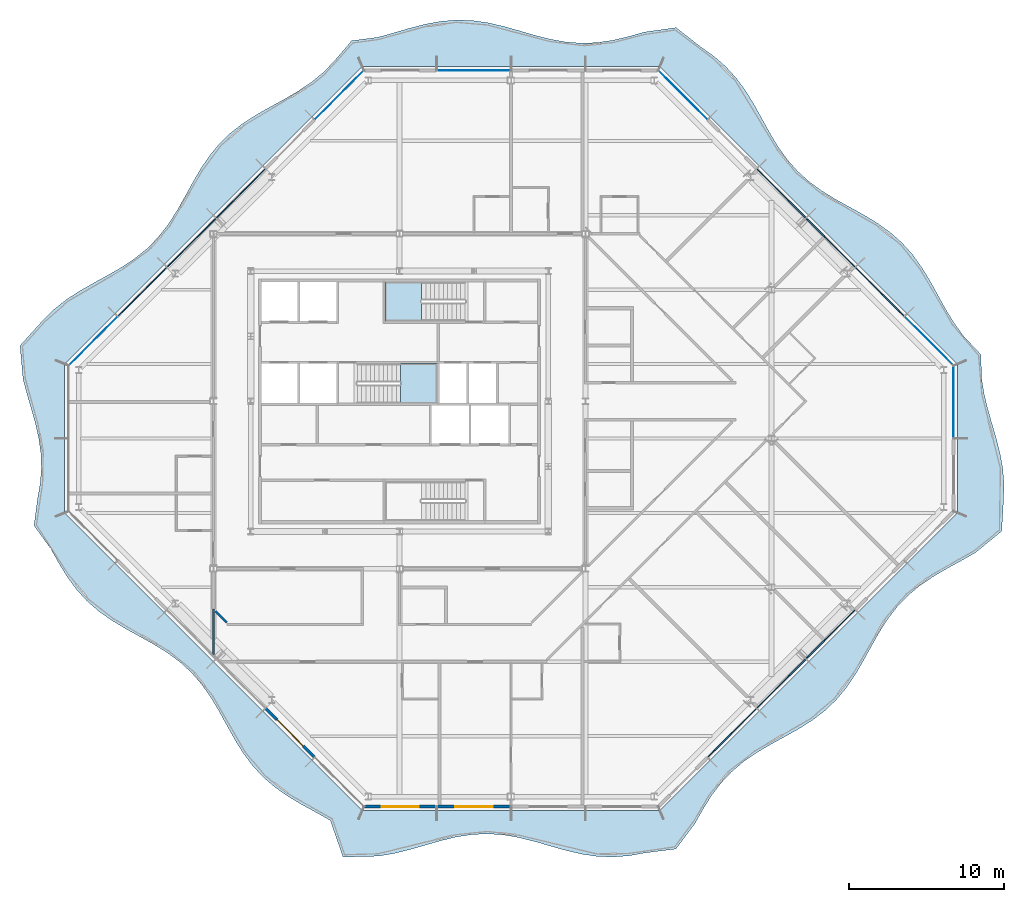
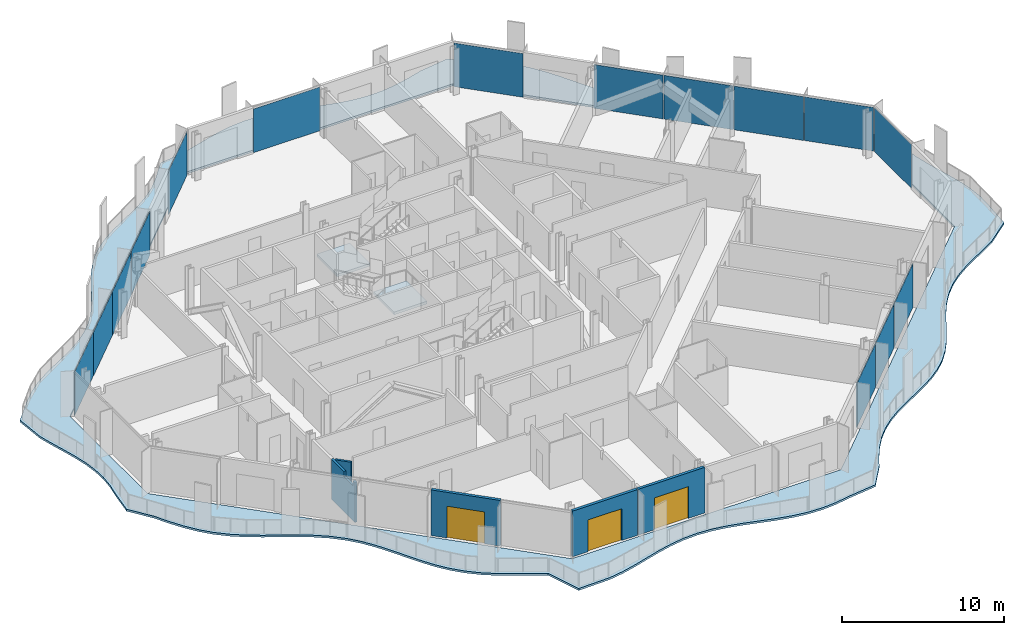
# One storey, part 6 of 17: 15 plates, 5 walls, 3 doors, 3 slabs, 3 openings, 7 elements without a shape of their own.
"""IFC4 building model written with IfcOpenShell, lengths in metres."""

from ifc_helpers import new_model, si_unit, direction, frame, frame_2d, origin, origin_2d, place, context, subcontext, project, spatial, polyline, rectangle, outline, extrude, material, layer, layer_set, type_object, element, fill, aggregate, save


model = new_model("IFC4")

# Units and contexts
model_context = context("Model", 3, precision=1e-05, world=origin(), true_north=direction((0.0, 1.0)))
body_context = subcontext(model_context, "Body", "Model", "MODEL_VIEW")
ifc_project = project(units=[si_unit("LENGTHUNIT", "METRE"), si_unit("AREAUNIT", "SQUARE_METRE"), si_unit("VOLUMEUNIT", "CUBIC_METRE"), si_unit("PLANEANGLEUNIT", "RADIAN"), si_unit("MASSUNIT", "GRAM", prefix="KILO")], contexts=[model_context])

# Site, building, storey
site_placement = place(None, origin())
site = spatial("IfcSite", under=ifc_project, at=site_placement, CompositionType="ELEMENT")
building_placement = place(site_placement, origin())
building = spatial("IfcBuilding", under=site, at=building_placement, Name="Cairn Pilgrim Tower", CompositionType="ELEMENT")
storey_placement = place(building_placement, frame((0.0, 0.0, 228.60009765625)))
storey = spatial("IfcBuildingStorey", under=building, at=storey_placement, Name="L58", CompositionType="ELEMENT", Elevation=228.60009765625)

# Slab
ifc_material_1 = material(Name="Concrete C35/45", Category="concrete")
ifc_layer_1 = layer(ifc_material_1, 0.14990234375)
ifc_layer_set_1 = layer_set([ifc_layer_1], Name="BALCONY SLAB 150 CONCRETE C35/45")
slab_type_1 = type_object("IfcSlabType", Name="BALCONY SLAB 150 CONCRETE C35/45", PredefinedType="FLOOR", material=ifc_layer_set_1)
slab_1_placement = place(storey_placement, frame((0.0, 0.0, -0.150146484375)))
element("IfcSlab", 1, at=slab_1_placement, inside=storey, type_object=slab_type_1, Name="Balcony slab BS-1", PredefinedType="FLOOR", context=body_context, shape_type="SweptSolid", body=[
    extrude(outline(polyline([(2.73974609375, -24.637939453125), (3.557373046875, -27.0), (5.810546875, -26.941650390625), (6.821044921875, -26.77587890625), (7.83154296875, -26.5283203125), (8.842041015625, -26.237548828125), (9.8525390625, -25.94873046875), (10.863037109375, -25.706787109375), (11.873779296875, -25.549072265625), (12.88427734375, -25.50048828125), (13.894775390625, -25.568359375), (14.9052734375, -25.741943359375), (15.915771484375, -25.994873046875), (16.92626953125, -26.287109375), (17.936767578125, -26.57373046875), (18.947265625, -26.81005859375), (19.9580078125, -26.95947265625), (20.968505859375, -26.998291015625), (21.97900390625, -26.921142578125), (22.989501953125, -26.739501953125), (25.028076171875, -26.481689453125), (26.25927734375, -24.837158203125), (26.770263671875, -23.926025390625), (27.31884765625, -23.052001953125), (27.9296875, -22.24072265625), (28.618408203125, -21.50732421875), (29.388427734375, -20.85498046875), (30.230712890625, -20.275146484375), (31.125, -19.747314453125), (32.043212890625, -19.2431640625), (32.953369140625, -18.731201171875), (33.82470703125, -18.180419921875), (34.6328125, -17.566162109375), (35.36279296875, -16.873779296875), (36.01123046875, -16.100341796875), (36.58837890625, -15.255126953125), (37.114501953125, -14.359130859375), (37.618408203125, -13.4404296875), (38.131591796875, -12.531494140625), (38.6845703125, -11.662353515625), (39.302001953125, -10.857666015625), (39.998046875, -10.131591796875), (40.775146484375, -9.486328125), (41.623291015625, -8.912109375), (42.52099609375, -8.3876953125), (43.439697265625, -7.884033203125), (44.34765625, -7.369873046875), (46.048583984375, -5.97998046875), (46.1728515625, -3.840087890625), (46.19580078125, -2.8798828125), (46.11376953125, -1.919921875), (45.938720703125, -0.9599609375), (45.69482421875, 0.0), (45.416748046875, 0.9599609375), (45.143310546875, 1.919921875), (44.912841796875, 2.8798828125), (44.7578125, 3.840087890625), (44.7001953125, 5.42138671875), (43.586669921875, 6.60888671875), (42.988525390625, 7.432861328125), (42.448974609375, 8.315673828125), (41.94140625, 9.230224609375), (41.434814453125, 10.14599609375), (40.8974609375, 11.03076171875), (40.302490234375, 11.858154296875), (39.63232421875, 12.610107421875), (38.880615234375, 13.28076171875), (38.053466796875, 13.875732421875), (37.168701171875, 14.413330078125), (36.25341796875, 14.919921875), (35.338623046875, 15.427490234375), (34.455810546875, 15.966796875), (33.63134765625, 16.564697265625), (32.883056640625, 17.238525390625), (32.216064453125, 17.993896484375), (31.624267578125, 18.82421875), (31.088623046875, 19.7109375), (30.58251953125, 20.626953125), (30.074462890625, 21.541015625), (29.53271484375, 22.421630859375), (28.931640625, 23.242919921875), (28.25439453125, 23.987548828125), (27.495361328125, 24.65087890625), (26.662109375, 25.23974609375), (25.038818359375, 26.508056640625), (22.989501953125, 26.2158203125), (21.97900390625, 25.928955078125), (20.968505859375, 25.69189453125), (19.9580078125, 25.54150390625), (18.947265625, 25.50146484375), (17.936767578125, 25.57763671875), (16.92626953125, 25.75830078125), (15.915771484375, 26.015380859375), (14.9052734375, 26.30908203125), (13.894775390625, 26.593505859375), (12.88427734375, 26.824462890625), (11.873779296875, 26.966064453125), (10.863037109375, 26.99658203125), (9.8525390625, 26.910888671875), (8.842041015625, 26.72265625), (7.83154296875, 26.4609375), (6.821044921875, 26.166259765625), (5.810546875, 25.884765625), (4.1123046875, 25.659912109375), (3.009033203125, 24.368896484375), (2.31298828125, 23.642578125), (1.5361328125, 22.997314453125), (0.688232421875, 22.4228515625), (-0.20947265625, 21.8984375), (-1.128173828125, 21.394775390625), (-2.0361328125, 20.880615234375), (-2.90283203125, 20.3251953125), (-3.70458984375, 19.70458984375), (-4.427001953125, 19.0048828125), (-5.06884765625, 18.224365234375), (-5.640380859375, 17.373779296875), (-6.163330078125, 16.474609375), (-6.666748046875, 15.5556640625), (-7.18212890625, 14.64892578125), (-7.740234375, 13.78466796875), (-8.364013671875, 12.986328125), (-9.0673828125, 12.267333984375), (-9.851318359375, 11.629150390625), (-10.704833984375, 11.060302734375), (-11.60546875, 10.538818359375), (-12.524658203125, 10.03564453125), (-13.429931640625, 9.518798828125), (-14.291748046875, 8.95849609375), (-15.086669921875, 8.3310546875), (-15.8017578125, 7.6240234375), (-17.2802734375, 5.9931640625), (-17.08642578125, 3.840087890625), (-16.831298828125, 2.8798828125), (-16.550537109375, 1.919921875), (-16.283935546875, 0.9599609375), (-16.068603515625, 0.0), (-15.93505859375, -0.9599609375), (-15.90185546875, -1.919921875), (-15.9736328125, -2.8798828125), (-16.140625, -3.840087890625), (-16.379150390625, -5.61962890625), (-15.293212890625, -7.115478515625), (-14.78515625, -8.029541015625), (-14.24365234375, -8.910400390625), (-13.642822265625, -9.731689453125), (-12.965576171875, -10.4765625), (-12.20654296875, -11.139892578125), (-11.37353515625, -11.72900390625), (-10.48486328125, -12.2626953125), (-9.568115234375, -12.76806640625), (-8.655029296875, -13.277099609375), (-7.7763671875, -13.82080078125), (-6.958251953125, -14.4248046875), (-6.217041015625, -15.105712890625), (-5.55712890625, -15.868408203125), (-4.970947265625, -16.704345703125), (-4.439208984375, -17.594970703125), (-3.934326171875, -18.51220703125), (-3.42431640625, -19.42431640625), (-2.878662109375, -20.30078125), (-2.271240234375, -21.11572265625), (-1.586669921875, -21.853271484375), (-0.820556640625, -22.509521484375), (0.018310546875, -23.0927734375), (0.91064453125, -23.62255859375), (1.828369140625, -24.127197265625), (2.73974609375, -24.637939453125)]), holes=[polyline([(24.0, -24.0), (4.800048828125, -24.0), (-14.39990234375, -4.800048828125), (-14.39990234375, 4.800048828125), (4.800048828125, 24.0), (24.0, 24.0), (43.199951171875, 4.800048828125), (43.199951171875, -4.800048828125), (24.0, -24.0)])]), origin(), (0.0, 0.0, 1.0), 0.150146484375),
])

# Curtain wall, plates
ifc_material_2 = material(Name="Aluminium alloy 6063-T6 bronze anodised with Bronze tinted laminated low-E glass 8+16+8.8", Category="aluminium")
curtain_wall_type_1 = type_object("IfcCurtainWallType", Name="CHAMFER CORNER CURTAIN WALL", PredefinedType="NOTDEFINED", material=ifc_material_2)
curtain_wall_1_placement = place(storey_placement, origin())
curtain_wall_1 = element("IfcCurtainWall", 2, at=curtain_wall_1_placement, inside=storey, type_object=curtain_wall_type_1, Name="Chamfer Corner Curtain Wall SE", PredefinedType="NOTDEFINED")
ifc_material_3 = material(Name="Bronze anodised aluminium spandrel panel with mineral wool insulation", Category="aluminium")
ifc_layer_2 = layer(ifc_material_3, 0.06005859375)
ifc_layer_set_2 = layer_set([ifc_layer_2], Name="SPANDREL PANEL 4431x3300")
plate_type_1 = type_object("IfcPlateType", Name="SPANDREL PANEL 4431x3300", PredefinedType="CURTAIN_PANEL", material=ifc_layer_set_2)
plate_1_placement = place(storey_placement, frame((28.659912109375, -18.986572265625, 0.0), z_axis=(0.0, 0.0, 1.0), x_axis=(0.707106781187, 0.707106781187, 0.0)))
plate_1 = element("IfcPlate", 3, at=plate_1_placement, type_object=plate_type_1, Name="Spandrel Panel SE2-1", PredefinedType="CURTAIN_PANEL", context=body_context, shape_type="SweptSolid", body=[
    extrude(rectangle(XDim=4.430908203125, YDim=0.06005859375, at=origin_2d()), origin(), (0.0, 0.0, 1.0), 3.300048828125),
])
plate_2_placement = place(storey_placement, frame((31.83544921875, -15.81103515625, 0.0), z_axis=(0.0, 0.0, 1.0), x_axis=(0.707106781187, 0.707106781187, 0.0)))
plate_2 = element("IfcPlate", 4, at=plate_2_placement, type_object=plate_type_1, Name="Spandrel Panel SE3-1", PredefinedType="CURTAIN_PANEL", context=body_context, shape_type="SweptSolid", body=[
    extrude(rectangle(XDim=4.430908203125, YDim=0.06005859375, at=origin_2d()), origin(), (0.0, 0.0, 1.0), 3.300048828125),
])
plate_3_placement = place(storey_placement, frame((35.010986328125, -12.635498046875, 0.0), z_axis=(0.0, 0.0, 1.0), x_axis=(0.707106781187, 0.707106781187, 0.0)))
plate_3 = element("IfcPlate", 5, at=plate_3_placement, type_object=plate_type_1, Name="Spandrel Panel SE4-1", PredefinedType="CURTAIN_PANEL", context=body_context, shape_type="SweptSolid", body=[
    extrude(rectangle(XDim=4.430908203125, YDim=0.06005859375, at=origin_2d()), origin(), (0.0, 0.0, 1.0), 3.300048828125),
])
aggregate(curtain_wall_1, [plate_1, plate_2, plate_3])

curtain_wall_2_placement = place(storey_placement, origin())
curtain_wall_2 = element("IfcCurtainWall", 6, at=curtain_wall_2_placement, inside=storey, type_object=curtain_wall_type_1, Name="Chamfer Corner Curtain Wall NE", PredefinedType="NOTDEFINED")
plate_4_placement = place(storey_placement, frame((38.1865234375, 9.459716796875, 0.0), z_axis=(0.0, 0.0, 1.0), x_axis=(-0.707106781187, 0.707106781187, 0.0)))
plate_4 = element("IfcPlate", 7, at=plate_4_placement, type_object=plate_type_1, Name="Spandrel Panel NE2-1", PredefinedType="CURTAIN_PANEL", context=body_context, shape_type="SweptSolid", body=[
    extrude(rectangle(XDim=4.430908203125, YDim=0.06005859375, at=origin_2d()), origin(), (0.0, 0.0, 1.0), 3.300048828125),
])
plate_5_placement = place(storey_placement, frame((35.010986328125, 12.635498046875, 0.0), z_axis=(0.0, 0.0, 1.0), x_axis=(-0.707106781187, 0.707106781187, 0.0)))
plate_5 = element("IfcPlate", 8, at=plate_5_placement, type_object=plate_type_1, Name="Spandrel Panel NE3-1", PredefinedType="CURTAIN_PANEL", context=body_context, shape_type="SweptSolid", body=[
    extrude(rectangle(XDim=4.430908203125, YDim=0.06005859375, at=origin_2d()), origin(), (0.0, 0.0, 1.0), 3.300048828125),
])
plate_6_placement = place(storey_placement, frame((31.83544921875, 15.81103515625, 0.0), z_axis=(0.0, 0.0, 1.0), x_axis=(-0.707106781187, 0.707106781187, 0.0)))
plate_6 = element("IfcPlate", 9, at=plate_6_placement, type_object=plate_type_1, Name="Spandrel Panel NE4-1", PredefinedType="CURTAIN_PANEL", context=body_context, shape_type="SweptSolid", body=[
    extrude(rectangle(XDim=4.430908203125, YDim=0.06005859375, at=origin_2d()), origin(), (0.0, 0.0, 1.0), 3.300048828125),
])

curtain_wall_3_placement = place(storey_placement, origin())
curtain_wall_3 = element("IfcCurtainWall", 10, at=curtain_wall_3_placement, inside=storey, type_object=curtain_wall_type_1, Name="Chamfer Corner Curtain Wall NW", PredefinedType="NOTDEFINED")
plate_7_placement = place(storey_placement, frame((-3.035400390625, 15.81103515625, 0.0), z_axis=(0.0, 0.0, 1.0), x_axis=(-0.707106781187, -0.707106781187, 0.0)))
plate_7 = element("IfcPlate", 11, at=plate_7_placement, type_object=plate_type_1, Name="Spandrel Panel NW3-1", PredefinedType="CURTAIN_PANEL", context=body_context, shape_type="SweptSolid", body=[
    extrude(rectangle(XDim=4.430908203125, YDim=0.06005859375, at=origin_2d()), origin(), (0.0, 0.0, 1.0), 3.300048828125),
])
plate_8_placement = place(storey_placement, frame((-6.2109375, 12.635498046875, 0.0), z_axis=(0.0, 0.0, 1.0), x_axis=(-0.707106781187, -0.707106781187, 0.0)))
plate_8 = element("IfcPlate", 12, at=plate_8_placement, type_object=plate_type_1, Name="Spandrel Panel NW4-1", PredefinedType="CURTAIN_PANEL", context=body_context, shape_type="SweptSolid", body=[
    extrude(rectangle(XDim=4.430908203125, YDim=0.06005859375, at=origin_2d()), origin(), (0.0, 0.0, 1.0), 3.300048828125),
])
plate_9_placement = place(storey_placement, frame((-9.38671875, 9.459716796875, 0.0), z_axis=(0.0, 0.0, 1.0), x_axis=(-0.707106781187, -0.707106781187, 0.0)))
plate_9 = element("IfcPlate", 13, at=plate_9_placement, type_object=plate_type_1, Name="Spandrel Panel NW5-1", PredefinedType="CURTAIN_PANEL", context=body_context, shape_type="SweptSolid", body=[
    extrude(rectangle(XDim=4.430908203125, YDim=0.06005859375, at=origin_2d()), origin(), (0.0, 0.0, 1.0), 3.300048828125),
])

# Stair, slab
ifc_material_4 = material(Name="Concrete C32/40", Category="concrete")
stair_type = type_object("IfcStairType", Name="EXIT STAIR 1200", PredefinedType="HALF_TURN_STAIR", material=ifc_material_4)
stair_1_placement = place(storey_placement, origin())
stair_1 = element("IfcStair", 14, at=stair_1_placement, inside=storey, type_object=stair_type, Name="L58 Exit Stair B", PredefinedType="HALF_TURN_STAIR")
ifc_layer_3 = layer(ifc_material_4, 0.199951171875)
ifc_layer_set_3 = layer_set([ifc_layer_3], Name="STAIR LANDING 200")
slab_type_2 = type_object("IfcSlabType", Name="STAIR LANDING 200", PredefinedType="LANDING", material=ifc_layer_set_3)
slab_2_placement = place(storey_placement, frame((0.0, 0.0, 1.599853515625)))
slab_2 = element("IfcSlab", 15, at=slab_2_placement, type_object=slab_type_2, Name="ST-B landing 1", PredefinedType="LANDING", context=body_context, shape_type="SweptSolid", body=[
    extrude(outline(polyline([(7.27490234375, 2.27490234375), (9.625, 2.27490234375), (9.625, 4.824951171875), (7.27490234375, 4.824951171875), (7.27490234375, 2.27490234375)])), origin(), (0.0, 0.0, 1.0), 0.199951171875),
])
aggregate(stair_1, [slab_2])

stair_2_placement = place(storey_placement, origin())
stair_2 = element("IfcStair", 16, at=stair_2_placement, inside=storey, type_object=stair_type, Name="L58 Exit Stair C", PredefinedType="HALF_TURN_STAIR")
slab_3_placement = place(storey_placement, frame((0.0, 0.0, 1.599853515625)))
slab_3 = element("IfcSlab", 17, at=slab_3_placement, type_object=slab_type_2, Name="ST-C landing 1", PredefinedType="LANDING", context=body_context, shape_type="SweptSolid", body=[
    extrude(outline(polyline([(8.625, 10.10009765625), (6.27490234375, 10.10009765625), (6.27490234375, 7.574951171875), (8.625, 7.574951171875), (8.625, 10.10009765625)])), origin(), (0.0, 0.0, 1.0), 0.199951171875),
])
aggregate(stair_2, [slab_3])

# Plate
ifc_material_5 = material(Name="Bronze tinted laminated low-E glass 8+16+8.8", Category="glass")
ifc_layer_4 = layer(ifc_material_5, 0.033935546875)
ifc_layer_set_4 = layer_set([ifc_layer_4], Name="VISION GLAZING 4421x3300")
plate_type_2 = type_object("IfcPlateType", Name="VISION GLAZING 4421x3300", PredefinedType="CURTAIN_PANEL", material=ifc_layer_set_4)
plate_10_placement = place(storey_placement, frame((41.358642578125, 6.287841796875, 0.0), z_axis=(0.0, 0.0, 1.0), x_axis=(-0.707106781187, 0.707106781187, 0.0)))
plate_10 = element("IfcPlate", 18, at=plate_10_placement, type_object=plate_type_2, Name="Vision Glazing NE1-1", PredefinedType="CURTAIN_PANEL", context=body_context, shape_type="SweptSolid", body=[
    extrude(rectangle(XDim=4.4208984375, YDim=0.033935546875, at=origin_2d()), origin(), (0.0, 0.0, 1.0), 3.300048828125),
])

plate_11_placement = place(storey_placement, frame((25.48779296875, 22.15869140625, 0.0), z_axis=(0.0, 0.0, 1.0), x_axis=(-0.707106781187, 0.707106781187, 0.0)))
plate_11 = element("IfcPlate", 19, at=plate_11_placement, type_object=plate_type_2, Name="Vision Glazing NE6-1", PredefinedType="CURTAIN_PANEL", context=body_context, shape_type="SweptSolid", body=[
    extrude(rectangle(XDim=4.4208984375, YDim=0.033935546875, at=origin_2d()), origin(), (0.0, 0.0, 1.0), 3.300048828125),
])

aggregate(curtain_wall_2, [plate_10, plate_4, plate_5, plate_6, plate_11])

plate_12_placement = place(storey_placement, frame((3.312255859375, 22.15869140625, 0.0), z_axis=(0.0, 0.0, 1.0), x_axis=(-0.707106781187, -0.707106781187, 0.0)))
plate_12 = element("IfcPlate", 20, at=plate_12_placement, type_object=plate_type_2, Name="Vision Glazing NW1-1", PredefinedType="CURTAIN_PANEL", context=body_context, shape_type="SweptSolid", body=[
    extrude(rectangle(XDim=4.4208984375, YDim=0.033935546875, at=origin_2d()), origin(), (0.0, 0.0, 1.0), 3.300048828125),
])

plate_13_placement = place(storey_placement, frame((-12.55859375, 6.287841796875, 0.0), z_axis=(0.0, 0.0, 1.0), x_axis=(-0.707106781187, -0.707106781187, 0.0)))
plate_13 = element("IfcPlate", 21, at=plate_13_placement, type_object=plate_type_2, Name="Vision Glazing NW6-1", PredefinedType="CURTAIN_PANEL", context=body_context, shape_type="SweptSolid", body=[
    extrude(rectangle(XDim=4.4208984375, YDim=0.033935546875, at=origin_2d()), origin(), (0.0, 0.0, 1.0), 3.300048828125),
])

aggregate(curtain_wall_3, [plate_12, plate_7, plate_8, plate_9, plate_13])

# Curtain wall, plate
curtain_wall_type_2 = type_object("IfcCurtainWallType", Name="TOWER STICK CURTAIN WALL EW", PredefinedType="NOTDEFINED", material=ifc_material_2)
curtain_wall_4_placement = place(storey_placement, origin())
curtain_wall_4 = element("IfcCurtainWall", 22, at=curtain_wall_4_placement, inside=storey, type_object=curtain_wall_type_2, Name="Tower Stick Curtain Wall Ew E", PredefinedType="NOTDEFINED")
ifc_layer_5 = layer(ifc_material_5, 0.033935546875)
ifc_layer_set_5 = layer_set([ifc_layer_5], Name="VISION GLAZING 4626x3300")
plate_type_3 = type_object("IfcPlateType", Name="VISION GLAZING 4626x3300", PredefinedType="CURTAIN_PANEL", material=ifc_layer_set_5)
plate_14_placement = place(storey_placement, frame((42.949951171875, 2.34326171875, 0.0), z_axis=(0.0, 0.0, 1.0), x_axis=(0.0, 1.0, 0.0)))
plate_14 = element("IfcPlate", 23, at=plate_14_placement, type_object=plate_type_3, Name="Vision Glazing E2-1", PredefinedType="CURTAIN_PANEL", context=body_context, shape_type="SweptSolid", body=[
    extrude(rectangle(XDim=4.62646484375, YDim=0.033935546875, at=origin_2d()), origin(), (0.0, 0.0, 1.0), 3.300048828125),
])
aggregate(curtain_wall_4, [plate_14])

curtain_wall_type_3 = type_object("IfcCurtainWallType", Name="TOWER STICK CURTAIN WALL NS", PredefinedType="NOTDEFINED", material=ifc_material_2)
curtain_wall_5_placement = place(storey_placement, origin())
curtain_wall_5 = element("IfcCurtainWall", 24, at=curtain_wall_5_placement, inside=storey, type_object=curtain_wall_type_3, Name="Tower Stick Curtain Wall Ns N", PredefinedType="NOTDEFINED")
ifc_layer_6 = layer(ifc_material_5, 0.033935546875)
ifc_layer_set_6 = layer_set([ifc_layer_6], Name="VISION GLAZING 4740x3300")
plate_type_4 = type_object("IfcPlateType", Name="VISION GLAZING 4740x3300", PredefinedType="CURTAIN_PANEL", material=ifc_layer_set_6)
plate_15_placement = place(storey_placement, frame((12.0, 23.75, 0.0), z_axis=(0.0, 0.0, 1.0), x_axis=(-1.0, 0.0, 0.0)))
plate_15 = element("IfcPlate", 25, at=plate_15_placement, type_object=plate_type_4, Name="Vision Glazing N3-1", PredefinedType="CURTAIN_PANEL", context=body_context, shape_type="SweptSolid", body=[
    extrude(rectangle(XDim=4.739990234375, YDim=0.033935546875, at=origin_2d()), origin(), (0.0, 0.0, 1.0), 3.300048828125),
])
aggregate(curtain_wall_5, [plate_15])

# Wall, opening, door
ifc_material_6 = material(Name="Bronze anodised aluminium insulated sandwich panel with mineral wool fill", Category="aluminium")
ifc_layer_7 = layer(ifc_material_6, 0.199951171875)
ifc_layer_set_7 = layer_set([ifc_layer_7], Name="BRONZE INFILL FRAME WALL 200")
wall_type_1 = type_object("IfcWallType", Name="BRONZE INFILL FRAME WALL 200", PredefinedType="NOTDEFINED", material=ifc_layer_set_7)
wall_1_placement = place(storey_placement, frame((4.943603515625, -23.75, 0.0), z_axis=(0.0, 0.0, 1.0), x_axis=(1.0, 0.0, 0.0)))
wall_1 = element("IfcWall", 26, at=wall_1_placement, inside=storey, type_object=wall_type_1, Name="Bronze infill frame wall IW-S1", PredefinedType="NOTDEFINED", context=body_context, shape_type="SweptSolid", body=[
    extrude(rectangle(XDim=4.62646484375, YDim=0.199951171875, at=frame_2d((2.313232421875, 0.0))), origin(), (0.0, 0.0, 1.0), 3.449951171875),
])
opening_1_placement = place(wall_1_placement, frame((1.1083984375, 0.0, 0.0)))
opening_1 = element("IfcOpeningElement", 27, at=opening_1_placement, cuts=wall_1, Name="Opening 5813B2", PredefinedType="OPENING", context=body_context, shape_type="SweptSolid", body=[
    extrude(rectangle(XDim=2.39990234375, YDim=2.39990234375, at=frame_2d((1.199951171875, 1.199951171875))), frame((0.0, 0.10986328125, 0.0), z_axis=(0.0, -1.0, 0.0), x_axis=(1.0, 0.0, 0.0)), (0.0, 0.0, 1.0), 0.219970703125),
])
ifc_material_7 = material(Name="Bronze anodised aluminium frame with tinted low-E glass", Category="aluminium")
door_type = type_object("IfcDoorType", Name="BALCONY SLIDING DOOR 2400x2400", OperationType="DOUBLE_DOOR_SLIDING", PredefinedType="DOOR", material=ifc_material_7)
door_1_placement = place(opening_1_placement, origin())
door_1 = element("IfcDoor", 28, at=door_1_placement, inside=storey, type_object=door_type, Name="Balcony sliding door 5813B2", OperationType="SINGLE_SWING_LEFT", OverallHeight=2.39990234375, OverallWidth=2.39990234375, PredefinedType="DOOR", context=body_context, shape_type="SweptSolid", body=[
    extrude(rectangle(XDim=2.39990234375, YDim=2.39990234375, at=frame_2d((1.199951171875, 1.199951171875))), frame((0.0, 0.02490234375, 0.0), z_axis=(0.0, -1.0, 0.0), x_axis=(1.0, 0.0, 0.0)), (0.0, 0.0, 1.0), 0.050048828125),
])
fill(opening_1, door_1)

wall_2_placement = place(storey_placement, frame((9.6298828125, -23.75, 0.0), z_axis=(0.0, 0.0, 1.0), x_axis=(1.0, 0.0, 0.0)))
wall_2 = element("IfcWall", 29, at=wall_2_placement, inside=storey, type_object=wall_type_1, Name="Bronze infill frame wall IW-S2", PredefinedType="NOTDEFINED", context=body_context, shape_type="SweptSolid", body=[
    extrude(rectangle(XDim=4.740234375, YDim=0.199951171875, at=frame_2d((2.3701171875, 0.0))), origin(), (0.0, 0.0, 1.0), 3.449951171875),
])
opening_2_placement = place(wall_2_placement, frame((1.17041015625, 0.0, 0.0)))
opening_2 = element("IfcOpeningElement", 30, at=opening_2_placement, cuts=wall_2, Name="Opening 5814B", PredefinedType="OPENING", context=body_context, shape_type="SweptSolid", body=[
    extrude(rectangle(XDim=2.39990234375, YDim=2.39990234375, at=frame_2d((1.199951171875, 1.199951171875))), frame((0.0, 0.10986328125, 0.0), z_axis=(0.0, -1.0, 0.0), x_axis=(1.0, 0.0, 0.0)), (0.0, 0.0, 1.0), 0.219970703125),
])
door_2_placement = place(opening_2_placement, origin())
door_2 = element("IfcDoor", 31, at=door_2_placement, inside=storey, type_object=door_type, Name="Balcony sliding door 5814B", OperationType="SINGLE_SWING_LEFT", OverallHeight=2.39990234375, OverallWidth=2.39990234375, PredefinedType="DOOR", context=body_context, shape_type="SweptSolid", body=[
    extrude(rectangle(XDim=2.39990234375, YDim=2.39990234375, at=frame_2d((1.199951171875, 1.199951171875))), frame((0.0, 0.02490234375, 0.0), z_axis=(0.0, -1.0, 0.0), x_axis=(1.0, 0.0, 0.0)), (0.0, 0.0, 1.0), 0.050048828125),
])
fill(opening_2, door_2)

wall_3_placement = place(storey_placement, frame((-1.426513671875, -17.419921875, 0.0), z_axis=(0.0, 0.0, 1.0), x_axis=(0.707106781187, -0.707106781187, 0.0)))
wall_3 = element("IfcWall", 32, at=wall_3_placement, inside=storey, type_object=wall_type_1, Name="Bronze infill frame wall IW-SW5", PredefinedType="NOTDEFINED", context=body_context, shape_type="SweptSolid", body=[
    extrude(rectangle(XDim=4.43115234375, YDim=0.199951171875, at=frame_2d((2.215576171875, 0.0))), origin(), (0.0, 0.0, 1.0), 3.449951171875),
])
opening_3_placement = place(wall_3_placement, frame((1.01513671875, 0.0, 0.0)))
opening_3 = element("IfcOpeningElement", 33, at=opening_3_placement, cuts=wall_3, Name="Opening 5813B", PredefinedType="OPENING", context=body_context, shape_type="SweptSolid", body=[
    extrude(rectangle(XDim=2.39990234375, YDim=2.39990234375, at=frame_2d((1.199951171875, 1.199951171875))), frame((0.0, 0.10986328125, 0.0), z_axis=(0.0, -1.0, 0.0), x_axis=(1.0, 0.0, 0.0)), (0.0, 0.0, 1.0), 0.219970703125),
])
door_3_placement = place(opening_3_placement, origin())
door_3 = element("IfcDoor", 34, at=door_3_placement, inside=storey, type_object=door_type, Name="Balcony sliding door 5813B", OperationType="SINGLE_SWING_LEFT", OverallHeight=2.39990234375, OverallWidth=2.39990234375, PredefinedType="DOOR", context=body_context, shape_type="SweptSolid", body=[
    extrude(rectangle(XDim=2.39990234375, YDim=2.39990234375, at=frame_2d((1.199951171875, 1.199951171875))), frame((0.0, 0.02490234375, 0.0), z_axis=(0.0, -1.0, 0.0), x_axis=(1.0, 0.0, 0.0)), (0.0, 0.0, 1.0), 0.050048828125),
])
fill(opening_3, door_3)

# Walls
ifc_material_8 = material(Name="Gypsum partition")
ifc_layer_8 = layer(ifc_material_8, 0.14990234375)
ifc_layer_set_8 = layer_set([ifc_layer_8], Name="PARTITION 150 DRYWALL EI 60")
wall_type_2 = type_object("IfcWallType", Name="PARTITION 150 DRYWALL EI 60", PredefinedType="PARTITIONING", material=ifc_layer_set_8)
wall_4_placement = place(storey_placement, frame((-4.800048828125, -13.926025390625, 0.0), z_axis=(0.0, 0.0, 1.0), x_axis=(0.0, 1.0, 0.0)))
element("IfcWall", 35, at=wall_4_placement, inside=storey, type_object=wall_type_2, Name="PARTITION W015", PredefinedType="PARTITIONING", context=body_context, shape_type="SweptSolid", body=[
    extrude(outline(polyline([(0.0, 0.0), (2.919921875, 0.0), (2.920166015625, 3.02978515625), (1.368896484375, 3.02978515625), (1.366943359375, 2.6298828125), (0.22900390625, 2.6298828125), (0.226806640625, 3.02978515625), (0.0, 3.02978515625), (0.0, 0.0)])), frame((0.0, 0.074951171875, 0.0), z_axis=(0.0, -1.0, 0.0), x_axis=(1.0, 0.0, 0.0)), (0.0, 0.0, 1.0), 0.14990234375),
])
wall_5_placement = place(storey_placement, frame((-3.93408203125, -11.8720703125, 0.0), z_axis=(0.0, 0.0, 1.0), x_axis=(-0.707106781187, 0.707106781187, 0.0)))
element("IfcWall", 36, at=wall_5_placement, inside=storey, type_object=wall_type_2, Name="PARTITION W020", PredefinedType="PARTITIONING", context=body_context, shape_type="SweptSolid", body=[
    extrude(rectangle(XDim=1.043701171875, YDim=0.14990234375, at=frame_2d((0.52197265625, 0.0))), origin(), (0.0, 0.0, 1.0), 3.02978515625),
])

save(model, "model.ifc")
